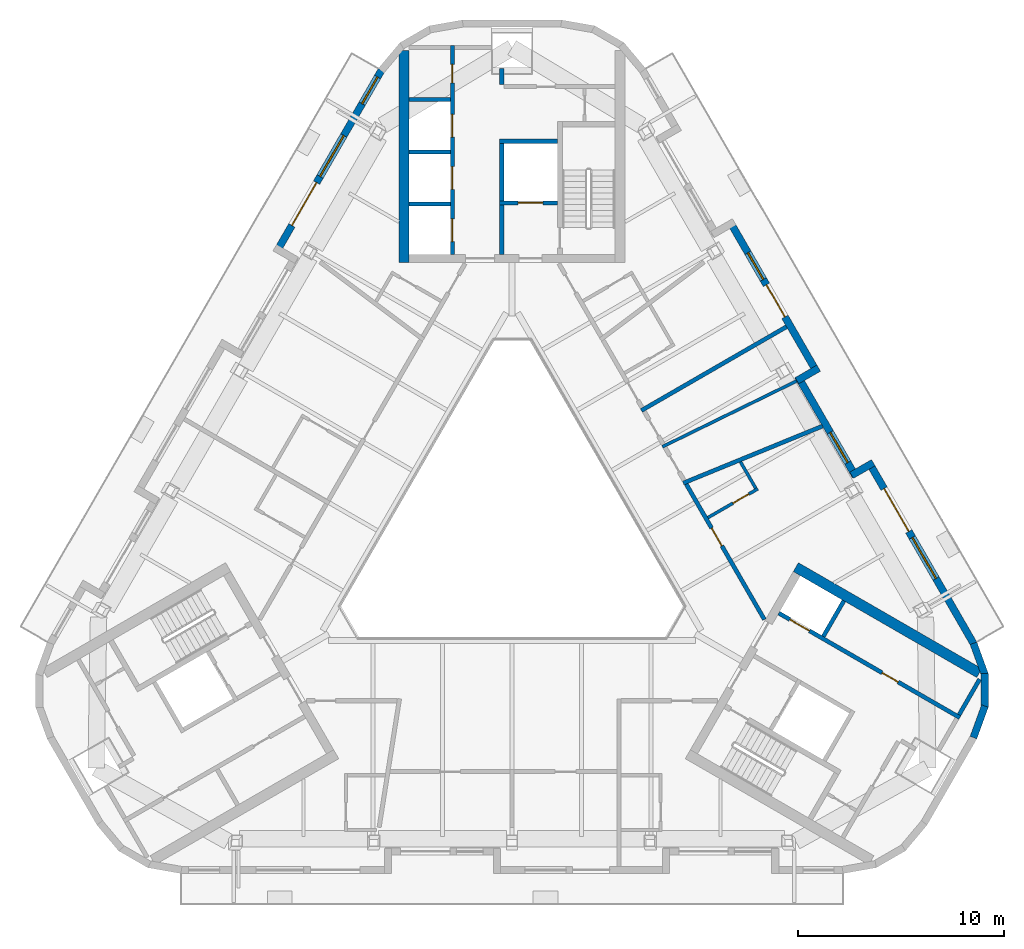
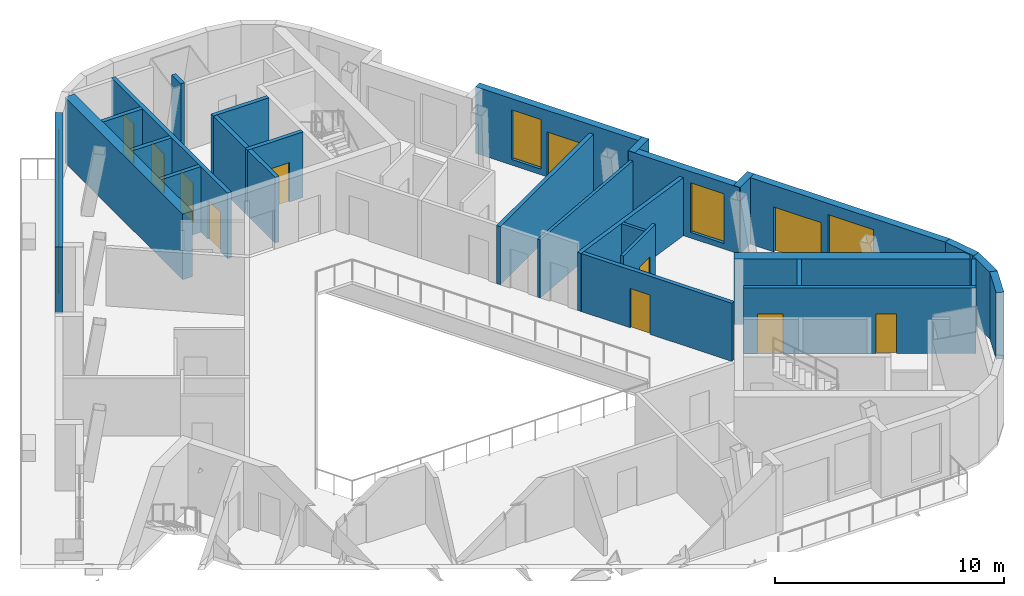
# One storey, part 6 of 11: 29 walls, 12 doors, 5 windows, 17 openings.
"""IFC4 building model written with IfcOpenShell, lengths in metres."""

from ifc_helpers import new_model, si_unit, direction, frame, frame_2d, origin, place, context, subcontext, project, spatial, rectangle, extrude, material, layer, layer_set, type_object, element, fill, save


model = new_model("IFC4")

# Units and contexts
model_context = context("Model", 3, precision=1e-05, world=origin(), true_north=direction((0.0, 1.0)))
body_context = subcontext(model_context, "Body", "Model", "MODEL_VIEW")
ifc_project = project(units=[si_unit("LENGTHUNIT", "METRE"), si_unit("AREAUNIT", "SQUARE_METRE"), si_unit("VOLUMEUNIT", "CUBIC_METRE"), si_unit("PLANEANGLEUNIT", "RADIAN"), si_unit("MASSUNIT", "GRAM", prefix="KILO")], contexts=[model_context])

# Site, building, storey
site_placement = place(None, origin())
site = spatial("IfcSite", under=ifc_project, at=site_placement, CompositionType="ELEMENT")
building_placement = place(site_placement, origin())
building = spatial("IfcBuilding", under=site, at=building_placement, Name="Apuvela Tower Hotel", CompositionType="ELEMENT")
storey_placement = place(building_placement, frame((0.0, 0.0, 309.60009765625)))
storey = spatial("IfcBuildingStorey", under=building, at=storey_placement, Name="L77", CompositionType="ELEMENT", Elevation=309.60009765625)

# Walls
ifc_material_1 = material(Name="Concrete C50/60", Category="concrete")
ifc_layer_1 = layer(ifc_material_1, 0.5)
ifc_layer_set_1 = layer_set([ifc_layer_1], Name="COR-WALL-CORE-500")
wall_type_1 = type_object("IfcWallType", Name="COR-WALL-CORE-500", PredefinedType="SHEAR", material=ifc_layer_set_1)
wall_1_placement = place(storey_placement, frame((-5.25, 12.89990234375, 0.0), z_axis=(0.0, 0.0, 1.0), x_axis=(0.0, 1.0, 0.0)))
element("IfcWall", 1, at=wall_1_placement, inside=storey, type_object=wall_type_1, Name="Core wall N", PredefinedType="SHEAR", context=body_context, shape_type="SweptSolid", body=[
    extrude(rectangle(XDim=10.298583984375, YDim=0.5, at=frame_2d((5.1494140625, 0.0))), origin(), (0.0, 0.0, 1.0), 3.5),
])
wall_2_placement = place(storey_placement, frame((13.796630859375, -1.9033203125, 0.0), z_axis=(0.0, 0.0, 1.0), x_axis=(0.866027279078, -0.499996751883, 0.0)))
element("IfcWall", 2, at=wall_2_placement, inside=storey, type_object=wall_type_1, Name="Core wall SE", PredefinedType="SHEAR", context=body_context, shape_type="SweptSolid", body=[
    extrude(rectangle(XDim=10.29833984375, YDim=0.5, at=frame_2d((5.149169921875, 0.0))), origin(), (0.0, 0.0, 1.0), 3.5),
])
ifc_layer_2 = layer(ifc_material_1, 0.199951171875)
ifc_layer_set_2 = layer_set([ifc_layer_2], Name="COR-WALL-SHAFT-200")
wall_type_2 = type_object("IfcWallType", Name="COR-WALL-SHAFT-200", PredefinedType="SHEAR", material=ifc_layer_set_2)
wall_3_placement = place(storey_placement, frame((2.199951171875, 18.800048828125, 0.0), z_axis=(0.0, 0.0, 1.0), x_axis=(-1.0, 0.0, 0.0)))
element("IfcWall", 3, at=wall_3_placement, inside=storey, type_object=wall_type_2, Name="Shaft wall N", PredefinedType="SHEAR", context=body_context, shape_type="SweptSolid", body=[
    extrude(rectangle(XDim=2.800048828125, YDim=0.199951171875, at=frame_2d((1.39990234375, 0.0))), origin(), (0.0, 0.0, 1.0), 3.5),
])

# Wall, opening, door
wall_4_placement = place(storey_placement, frame((2.199951171875, 15.800048828125, 0.0), z_axis=(0.0, 0.0, 1.0), x_axis=(-1.0, 0.0, 0.0)))
wall_4 = element("IfcWall", 4, at=wall_4_placement, inside=storey, type_object=wall_type_2, Name="Shaft wall N", PredefinedType="SHEAR", context=body_context, shape_type="SweptSolid", body=[
    extrude(rectangle(XDim=2.800048828125, YDim=0.199951171875, at=frame_2d((1.39990234375, 0.0))), origin(), (0.0, 0.0, 1.0), 3.5),
])
opening_1_placement = place(wall_4_placement, frame((0.699951171875, 0.0, 0.0)))
opening_1 = element("IfcOpeningElement", 5, at=opening_1_placement, cuts=wall_4, Name="Opening N-LD-FS1", PredefinedType="OPENING", context=body_context, shape_type="SweptSolid", body=[
    extrude(rectangle(XDim=1.199951171875, YDim=2.10009765625, at=frame_2d((0.60009765625, 1.050048828125))), frame((0.0, 0.10986328125, 0.0), z_axis=(0.0, -1.0, 0.0), x_axis=(1.0, 0.0, 0.0)), (0.0, 0.0, 1.0), 0.219970703125),
])
ifc_material_2 = material(Name="Stainless steel lift landing door", Category="steel")
door_type_1 = type_object("IfcDoorType", Name="COR-LD-1200", OperationType="DOUBLE_DOOR_SLIDING", PredefinedType="DOOR", material=ifc_material_2)
door_1_placement = place(opening_1_placement, origin())
door_1 = element("IfcDoor", 6, at=door_1_placement, inside=storey, type_object=door_type_1, Name="Lift landing door N-LD-FS1", OperationType="DOUBLE_DOOR_SLIDING", OverallHeight=2.10009765625, OverallWidth=1.199951171875, PredefinedType="DOOR", context=body_context, shape_type="SweptSolid", body=[
    extrude(rectangle(XDim=1.199951171875, YDim=2.10009765625, at=frame_2d((0.60009765625, 1.050048828125))), frame((0.0, 0.02490234375, 0.0), z_axis=(0.0, -1.0, 0.0), x_axis=(1.0, 0.0, 0.0)), (0.0, 0.0, 1.0), 0.050048828125),
])
fill(opening_1, door_1)

# Walls
wall_5_placement = place(storey_placement, frame((-0.5, 15.89990234375, 0.0), z_axis=(0.0, 0.0, 1.0), x_axis=(0.0, 1.0, 0.0)))
element("IfcWall", 7, at=wall_5_placement, inside=storey, type_object=wall_type_2, Name="Shaft wall N", PredefinedType="SHEAR", context=body_context, shape_type="SweptSolid", body=[
    extrude(rectangle(XDim=2.800048828125, YDim=0.199951171875, at=frame_2d((1.39990234375, 0.0))), origin(), (0.0, 0.0, 1.0), 3.5),
])
wall_6_placement = place(storey_placement, frame((-0.5, 13.300048828125, 0.0), z_axis=(0.0, 0.0, 1.0), x_axis=(0.0, 1.0, 0.0)))
element("IfcWall", 8, at=wall_6_placement, inside=storey, type_object=wall_type_2, Name="Shaft wall N", PredefinedType="SHEAR", context=body_context, shape_type="SweptSolid", body=[
    extrude(rectangle(XDim=2.39990234375, YDim=0.199951171875, at=frame_2d((1.199951171875, 0.0))), origin(), (0.0, 0.0, 1.0), 3.5),
])

# Wall, openings, doors
wall_7_placement = place(storey_placement, frame((-2.89990234375, 13.300048828125, 0.0), z_axis=(0.0, 0.0, 1.0), x_axis=(0.0, 1.0, 0.0)))
wall_7 = element("IfcWall", 9, at=wall_7_placement, inside=storey, type_object=wall_type_2, Name="Shaft wall N", PredefinedType="SHEAR", context=body_context, shape_type="SweptSolid", body=[
    extrude(rectangle(XDim=10.159912109375, YDim=0.199951171875, at=frame_2d((5.080078125, 0.0))), origin(), (0.0, 0.0, 1.0), 3.5),
])
opening_2_placement = place(wall_7_placement, frame((0.6201171875, 0.0, 0.0)))
opening_2 = element("IfcOpeningElement", 10, at=opening_2_placement, cuts=wall_7, Name="Opening N-LD-HR1", PredefinedType="OPENING", context=body_context, shape_type="SweptSolid", body=[
    extrude(rectangle(XDim=1.10009765625, YDim=2.10009765625, at=frame_2d((0.550048828125, 1.050048828125))), frame((0.0, 0.10986328125, 0.0), z_axis=(0.0, -1.0, 0.0), x_axis=(1.0, 0.0, 0.0)), (0.0, 0.0, 1.0), 0.219970703125),
])
opening_3_placement = place(wall_7_placement, frame((3.159912109375, 0.0, 0.0)))
opening_3 = element("IfcOpeningElement", 11, at=opening_3_placement, cuts=wall_7, Name="Opening N-LD-HR2", PredefinedType="OPENING", context=body_context, shape_type="SweptSolid", body=[
    extrude(rectangle(XDim=1.10009765625, YDim=2.10009765625, at=frame_2d((0.550048828125, 1.050048828125))), frame((0.0, 0.10986328125, 0.0), z_axis=(0.0, -1.0, 0.0), x_axis=(1.0, 0.0, 0.0)), (0.0, 0.0, 1.0), 0.219970703125),
])
opening_4_placement = place(wall_7_placement, frame((5.699951171875, 0.0, 0.0)))
opening_4 = element("IfcOpeningElement", 12, at=opening_4_placement, cuts=wall_7, Name="Opening N-LD-HR4", PredefinedType="OPENING", context=body_context, shape_type="SweptSolid", body=[
    extrude(rectangle(XDim=1.10009765625, YDim=2.10009765625, at=frame_2d((0.550048828125, 1.050048828125))), frame((0.0, 0.10986328125, 0.0), z_axis=(0.0, -1.0, 0.0), x_axis=(1.0, 0.0, 0.0)), (0.0, 0.0, 1.0), 0.219970703125),
])
opening_5_placement = place(wall_7_placement, frame((8.340087890625, 0.0, 0.0)))
opening_5 = element("IfcOpeningElement", 13, at=opening_5_placement, cuts=wall_7, Name="Opening N-RE4", PredefinedType="OPENING", context=body_context, shape_type="SweptSolid", body=[
    extrude(rectangle(XDim=0.89990234375, YDim=2.10009765625, at=frame_2d((0.449951171875, 1.050048828125))), frame((0.0, 0.10986328125, 0.0), z_axis=(0.0, -1.0, 0.0), x_axis=(1.0, 0.0, 0.0)), (0.0, 0.0, 1.0), 0.219970703125),
])
ifc_material_3 = material(Name="Steel fire door, powder coated", Category="steel")
door_type_2 = type_object("IfcDoorType", Name="COR-DR-900", OperationType="NOTDEFINED", PredefinedType="DOOR", material=ifc_material_3)
door_2_placement = place(opening_5_placement, origin())
door_2 = element("IfcDoor", 14, at=door_2_placement, inside=storey, type_object=door_type_2, Name="Store door N-RE4", OperationType="SINGLE_SWING_LEFT", OverallHeight=2.10009765625, OverallWidth=0.89990234375, PredefinedType="DOOR", context=body_context, shape_type="SweptSolid", body=[
    extrude(rectangle(XDim=0.89990234375, YDim=2.10009765625, at=frame_2d((0.449951171875, 1.050048828125))), frame((0.0, 0.02490234375, 0.0), z_axis=(0.0, -1.0, 0.0), x_axis=(1.0, 0.0, 0.0)), (0.0, 0.0, 1.0), 0.050048828125),
])
fill(opening_5, door_2)
door_type_3 = type_object("IfcDoorType", Name="COR-LD-1100", OperationType="DOUBLE_DOOR_SLIDING", PredefinedType="DOOR", material=ifc_material_2)
door_3_placement = place(opening_2_placement, origin())
door_3 = element("IfcDoor", 15, at=door_3_placement, inside=storey, type_object=door_type_3, Name="Lift landing door N-LD-HR1", OperationType="DOUBLE_DOOR_SLIDING", OverallHeight=2.10009765625, OverallWidth=1.10009765625, PredefinedType="DOOR", context=body_context, shape_type="SweptSolid", body=[
    extrude(rectangle(XDim=1.10009765625, YDim=2.10009765625, at=frame_2d((0.550048828125, 1.050048828125))), frame((0.0, 0.02490234375, 0.0), z_axis=(0.0, -1.0, 0.0), x_axis=(1.0, 0.0, 0.0)), (0.0, 0.0, 1.0), 0.050048828125),
])
fill(opening_2, door_3)
door_4_placement = place(opening_3_placement, origin())
door_4 = element("IfcDoor", 16, at=door_4_placement, inside=storey, type_object=door_type_3, Name="Lift landing door N-LD-HR2", OperationType="DOUBLE_DOOR_SLIDING", OverallHeight=2.10009765625, OverallWidth=1.10009765625, PredefinedType="DOOR", context=body_context, shape_type="SweptSolid", body=[
    extrude(rectangle(XDim=1.10009765625, YDim=2.10009765625, at=frame_2d((0.550048828125, 1.050048828125))), frame((0.0, 0.02490234375, 0.0), z_axis=(0.0, -1.0, 0.0), x_axis=(1.0, 0.0, 0.0)), (0.0, 0.0, 1.0), 0.050048828125),
])
fill(opening_3, door_4)
door_5_placement = place(opening_4_placement, origin())
door_5 = element("IfcDoor", 17, at=door_5_placement, inside=storey, type_object=door_type_3, Name="Lift landing door N-LD-HR4", OperationType="DOUBLE_DOOR_SLIDING", OverallHeight=2.10009765625, OverallWidth=1.10009765625, PredefinedType="DOOR", context=body_context, shape_type="SweptSolid", body=[
    extrude(rectangle(XDim=1.10009765625, YDim=2.10009765625, at=frame_2d((0.550048828125, 1.050048828125))), frame((0.0, 0.02490234375, 0.0), z_axis=(0.0, -1.0, 0.0), x_axis=(1.0, 0.0, 0.0)), (0.0, 0.0, 1.0), 0.050048828125),
])
fill(opening_4, door_5)

# Walls
wall_8_placement = place(storey_placement, frame((-0.5, 21.550048828125, 0.0), z_axis=(0.0, 0.0, 1.0), x_axis=(0.0, 1.0, 0.0)))
element("IfcWall", 18, at=wall_8_placement, inside=storey, type_object=wall_type_2, Name="Shaft wall N", PredefinedType="SHEAR", context=body_context, shape_type="SweptSolid", body=[
    extrude(rectangle(XDim=0.791259765625, YDim=0.199951171875, at=frame_2d((0.3955078125, 0.0))), origin(), (0.0, 0.0, 1.0), 3.5),
])
for number, where, z_axis, x_axis, name in (
    (19, (-3.0, 15.739990234375, 0.0), (0.0, 0.0, 1.0), (-1.0, 0.0, 0.0), "Shaft wall N"),
    (20, (-3.0, 18.280029296875, 0.0), (0.0, 0.0, 1.0), (-1.0, 0.0, 0.0), "Shaft wall N"),
    (21, (-3.0, 20.820068359375, 0.0), (0.0, 0.0, 1.0), (-1.0, 0.0, 0.0), "Shaft wall N"),
):
    element("IfcWall", number, at=place(storey_placement, frame(where, z_axis=z_axis, x_axis=x_axis)), inside=storey, type_object=wall_type_2, Name=name, PredefinedType="SHEAR", context=body_context, shape_type="SweptSolid", body=[
        extrude(rectangle(XDim=2.0, YDim=0.199951171875, at=frame_2d((1.0, 0.0))), origin(), (0.0, 0.0, 1.0), 3.5),
    ])

# Wall, openings, doors
wall_9_placement = place(storey_placement, frame((12.968017578125, -4.138427734375, 0.0), z_axis=(0.0, 0.0, 1.0), x_axis=(0.866028328073, -0.49999493495, 0.0)))
wall_9 = element("IfcWall", 22, at=wall_9_placement, inside=storey, type_object=wall_type_2, Name="Shaft wall SE", PredefinedType="SHEAR", context=body_context, shape_type="SweptSolid", body=[
    extrude(rectangle(XDim=10.16015625, YDim=0.199951171875, at=frame_2d((5.080078125, 0.0))), origin(), (0.0, 0.0, 1.0), 3.5),
])
opening_6_placement = place(wall_9_placement, frame((0.6201171875, 0.0, 0.0)))
opening_6 = element("IfcOpeningElement", 23, at=opening_6_placement, cuts=wall_9, Name="Opening E-LD-HR3", PredefinedType="OPENING", context=body_context, shape_type="SweptSolid", body=[
    extrude(rectangle(XDim=1.10009765625, YDim=2.10009765625, at=frame_2d((0.550048828125, 1.050048828125))), frame((0.0, 0.10986328125, 0.0), z_axis=(0.0, -1.0, 0.0), x_axis=(1.0, 0.0, 0.0)), (0.0, 0.0, 1.0), 0.219970703125),
])
opening_7_placement = place(wall_9_placement, frame((5.800048828125, 0.0, 0.0)))
opening_7 = element("IfcOpeningElement", 24, at=opening_7_placement, cuts=wall_9, Name="Opening E-RE2", PredefinedType="OPENING", context=body_context, shape_type="SweptSolid", body=[
    extrude(rectangle(XDim=0.89990234375, YDim=2.10009765625, at=frame_2d((0.449951171875, 1.050048828125))), frame((0.0, 0.10986328125, 0.0), z_axis=(0.0, -1.0, 0.0), x_axis=(1.0, 0.0, 0.0)), (0.0, 0.0, 1.0), 0.219970703125),
])
door_6_placement = place(opening_7_placement, origin())
door_6 = element("IfcDoor", 25, at=door_6_placement, inside=storey, type_object=door_type_2, Name="Store door E-RE2", OperationType="SINGLE_SWING_LEFT", OverallHeight=2.10009765625, OverallWidth=0.89990234375, PredefinedType="DOOR", context=body_context, shape_type="SweptSolid", body=[
    extrude(rectangle(XDim=0.89990234375, YDim=2.10009765625, at=frame_2d((0.449951171875, 1.050048828125))), frame((0.0, 0.02490234375, 0.0), z_axis=(0.0, -1.0, 0.0), x_axis=(1.0, 0.0, 0.0)), (0.0, 0.0, 1.0), 0.050048828125),
])
fill(opening_7, door_6)
door_7_placement = place(opening_6_placement, origin())
door_7 = element("IfcDoor", 26, at=door_7_placement, inside=storey, type_object=door_type_3, Name="Lift landing door E-LD-HR3", OperationType="DOUBLE_DOOR_SLIDING", OverallHeight=2.10009765625, OverallWidth=1.10009765625, PredefinedType="DOOR", context=body_context, shape_type="SweptSolid", body=[
    extrude(rectangle(XDim=1.10009765625, YDim=2.10009765625, at=frame_2d((0.550048828125, 1.050048828125))), frame((0.0, 0.02490234375, 0.0), z_axis=(0.0, -1.0, 0.0), x_axis=(1.0, 0.0, 0.0)), (0.0, 0.0, 1.0), 0.050048828125),
])
fill(opening_6, door_7)

# Walls
for number, where, z_axis, x_axis, name in (
    (27, (15.131103515625, -5.27197265625, 0.0), (0.0, 0.0, 1.0), (0.499972520799, 0.866041268327, 0.0), "Shaft wall SE"),
    (28, (21.73046875, -9.081787109375, 0.0), (0.0, 0.0, 1.0), (0.50002537861, 0.866010750942, 0.0), "Shaft wall SE"),
):
    element("IfcWall", number, at=place(storey_placement, frame(where, z_axis=z_axis, x_axis=x_axis)), inside=storey, type_object=wall_type_2, Name=name, PredefinedType="SHEAR", context=body_context, shape_type="SweptSolid", body=[
        extrude(rectangle(XDim=2.0, YDim=0.199951171875, at=frame_2d((1.0, 0.0))), origin(), (0.0, 0.0, 1.0), 3.5),
    ])

# Wall, openings, door, windows
ifc_material_4 = material(Name="Concrete C40/50, dark pigmented precast panel", Category="concrete")
ifc_layer_3 = layer(ifc_material_4, 0.35009765625)
ifc_layer_set_3 = layer_set([ifc_layer_3], Name="ENV-WALL-350")
wall_type_3 = type_object("IfcWallType", Name="ENV-WALL-350", PredefinedType="SOLIDWALL", material=ifc_layer_set_3)
wall_10_placement = place(storey_placement, frame((-6.343994140625, 22.251220703125, 0.0), z_axis=(0.0, 0.0, 1.0), x_axis=(-0.499983205548, -0.866035099848, 0.0)))
wall_10 = element("IfcWall", 29, at=wall_10_placement, inside=storey, type_object=wall_type_3, Name="External wall L77-01", PredefinedType="SOLIDWALL", context=body_context, shape_type="SweptSolid", body=[
    extrude(rectangle(XDim=10.239013671875, YDim=0.35009765625, at=frame_2d((5.11962890625, 0.0))), origin(), (0.0, 0.0, 1.0), 3.5498046875),
])
opening_8_placement = place(wall_10_placement, frame((0.381103515625, 0.0, 0.300048828125)))
opening_8 = element("IfcOpeningElement", 30, at=opening_8_placement, cuts=wall_10, Name="Opening WN15", PredefinedType="OPENING", context=body_context, shape_type="SweptSolid", body=[
    extrude(rectangle(XDim=1.5, YDim=2.64990234375, at=frame_2d((0.75, 1.324951171875))), frame((0.0, 0.18505859375, 0.0), z_axis=(0.0, -1.0, 0.0), x_axis=(1.0, 0.0, 0.0)), (0.0, 0.0, 1.0), 0.3701171875),
])
opening_9_placement = place(wall_10_placement, frame((6.31005859375, 0.0, 0.0)))
opening_9 = element("IfcOpeningElement", 31, at=opening_9_placement, cuts=wall_10, Name="Opening BD24", PredefinedType="OPENING", context=body_context, shape_type="SweptSolid", body=[
    extrude(rectangle(XDim=2.39990234375, YDim=2.39990234375, at=frame_2d((1.199951171875, 1.199951171875))), frame((0.0, 0.18505859375, 0.0), z_axis=(0.0, -1.0, 0.0), x_axis=(1.0, 0.0, 0.0)), (0.0, 0.0, 1.0), 0.3701171875),
])
opening_10_placement = place(wall_10_placement, frame((3.666748046875, 0.0, 0.300048828125)))
opening_10 = element("IfcOpeningElement", 32, at=opening_10_placement, cuts=wall_10, Name="Opening WN23", PredefinedType="OPENING", context=body_context, shape_type="SweptSolid", body=[
    extrude(rectangle(XDim=2.300048828125, YDim=2.64990234375, at=frame_2d((1.14990234375, 1.324951171875))), frame((0.0, 0.18505859375, 0.0), z_axis=(0.0, -1.0, 0.0), x_axis=(1.0, 0.0, 0.0)), (0.0, 0.0, 1.0), 0.3701171875),
])
ifc_material_5 = material(Name="Aluminium 6063-T6, dark bronze anodised frame with dark tinted laminated glass", Category="aluminium")
door_type_4 = type_object("IfcDoorType", Name="ENV-DOOR-BALCONY-2400x2400", OperationType="SLIDING_TO_LEFT", PredefinedType="DOOR", material=ifc_material_5)
door_8_placement = place(opening_9_placement, frame((2.39990234375, 0.0, 0.0), z_axis=(0.0, 0.0, 1.0), x_axis=(-1.0, 0.0, 0.0)))
door_8 = element("IfcDoor", 33, at=door_8_placement, inside=storey, type_object=door_type_4, Name="Balcony door BD24", OperationType="SLIDING_TO_LEFT", OverallHeight=2.39990234375, OverallWidth=2.39990234375, PredefinedType="DOOR", context=body_context, shape_type="SweptSolid", body=[
    extrude(rectangle(XDim=2.39990234375, YDim=2.39990234375, at=frame_2d((1.199951171875, 1.199951171875))), frame((0.0, 0.02490234375, 0.0), z_axis=(0.0, -1.0, 0.0), x_axis=(1.0, 0.0, 0.0)), (0.0, 0.0, 1.0), 0.050048828125),
])
fill(opening_9, door_8)
ifc_material_6 = material(Name="Glass, dark tinted laminated insulated glazing unit", Category="glass")
window_type_1 = type_object("IfcWindowType", Name="ENV-WIN-1500x2650", PartitioningType="SINGLE_PANEL", PredefinedType="WINDOW", material=ifc_material_6)
window_1_placement = place(opening_8_placement, origin())
window_1 = element("IfcWindow", 34, at=window_1_placement, inside=storey, type_object=window_type_1, Name="Window WN15", OverallHeight=2.64990234375, OverallWidth=1.5, PartitioningType="SINGLE_PANEL", PredefinedType="WINDOW", context=body_context, shape_type="SweptSolid", body=[
    extrude(rectangle(XDim=1.5, YDim=2.64990234375, at=frame_2d((0.75, 1.324951171875))), frame((0.0, 0.030029296875, 0.0), z_axis=(0.0, -1.0, 0.0), x_axis=(1.0, 0.0, 0.0)), (0.0, 0.0, 1.0), 0.06005859375),
])
fill(opening_8, window_1)
window_type_2 = type_object("IfcWindowType", Name="ENV-WIN-2300x2650", PartitioningType="SINGLE_PANEL", PredefinedType="WINDOW", material=ifc_material_6)
window_2_placement = place(opening_10_placement, origin())
window_2 = element("IfcWindow", 35, at=window_2_placement, inside=storey, type_object=window_type_2, Name="Window WN23", OverallHeight=2.64990234375, OverallWidth=2.300048828125, PartitioningType="SINGLE_PANEL", PredefinedType="WINDOW", context=body_context, shape_type="SweptSolid", body=[
    extrude(rectangle(XDim=2.300048828125, YDim=2.64990234375, at=frame_2d((1.14990234375, 1.324951171875))), frame((0.0, 0.030029296875, 0.0), z_axis=(0.0, -1.0, 0.0), x_axis=(1.0, 0.0, 0.0)), (0.0, 0.0, 1.0), 0.06005859375),
])
fill(opening_10, window_2)

# Walls
for number, where, z_axis, x_axis, name in (
    (36, (22.42919921875, -10.189697265625, 0.0), (0.0, 0.0, 1.0), (0.341970966071, 0.939710518386, 0.0), "External wall L77-30"),
    (37, (22.977294921875, -8.7138671875, 0.0), (0.0, 0.0, 1.0), (0.0, 1.0, 0.0), "External wall L77-31"),
    (38, (22.988037109375, -7.1396484375, 0.0), (0.0, 0.0, 1.0), (-0.34192296291, 0.939727985874, 0.0), "External wall L77-32"),
):
    element("IfcWall", number, at=place(storey_placement, frame(where, z_axis=z_axis, x_axis=x_axis)), inside=storey, type_object=wall_type_3, Name=name, PredefinedType="SOLIDWALL", context=body_context, shape_type="SweptSolid", body=[
        extrude(rectangle(XDim=1.63427734375, YDim=0.35009765625, at=frame_2d((0.817138671875, 0.0))), origin(), (0.0, 0.0, 1.0), 3.5498046875),
    ])

# Wall, openings, door, window
wall_11_placement = place(storey_placement, frame((22.44189453125, -5.631591796875, 0.0), z_axis=(0.0, 0.0, 1.0), x_axis=(-0.499983205548, 0.866035099848, 0.0)))
wall_11 = element("IfcWall", 39, at=wall_11_placement, inside=storey, type_object=wall_type_3, Name="External wall L77-33", PredefinedType="SOLIDWALL", context=body_context, shape_type="SweptSolid", body=[
    extrude(rectangle(XDim=10.239013671875, YDim=0.35009765625, at=frame_2d((5.11962890625, 0.0))), origin(), (0.0, 0.0, 1.0), 3.5498046875),
])
opening_11_placement = place(wall_11_placement, frame((6.310546875, 0.0, 0.0)))
opening_11 = element("IfcOpeningElement", 40, at=opening_11_placement, cuts=wall_11, Name="Opening BD24", PredefinedType="OPENING", context=body_context, shape_type="SweptSolid", body=[
    extrude(rectangle(XDim=2.39990234375, YDim=2.39990234375, at=frame_2d((1.199951171875, 1.199951171875))), frame((0.0, 0.18505859375, 0.0), z_axis=(0.0, -1.0, 0.0), x_axis=(1.0, 0.0, 0.0)), (0.0, 0.0, 1.0), 0.3701171875),
])
opening_12_placement = place(wall_11_placement, frame((3.666748046875, 0.0, 0.300048828125)))
opening_12 = element("IfcOpeningElement", 41, at=opening_12_placement, cuts=wall_11, Name="Opening WN23", PredefinedType="OPENING", context=body_context, shape_type="SweptSolid", body=[
    extrude(rectangle(XDim=2.300048828125, YDim=2.64990234375, at=frame_2d((1.14990234375, 1.324951171875))), frame((0.0, 0.18505859375, 0.0), z_axis=(0.0, -1.0, 0.0), x_axis=(1.0, 0.0, 0.0)), (0.0, 0.0, 1.0), 0.3701171875),
])
door_9_placement = place(opening_11_placement, frame((2.39990234375, 0.0, 0.0), z_axis=(0.0, 0.0, 1.0), x_axis=(-1.0, 0.0, 0.0)))
door_9 = element("IfcDoor", 42, at=door_9_placement, inside=storey, type_object=door_type_4, Name="Balcony door BD24", OperationType="SLIDING_TO_LEFT", OverallHeight=2.39990234375, OverallWidth=2.39990234375, PredefinedType="DOOR", context=body_context, shape_type="SweptSolid", body=[
    extrude(rectangle(XDim=2.39990234375, YDim=2.39990234375, at=frame_2d((1.199951171875, 1.199951171875))), frame((0.0, 0.02490234375, 0.0), z_axis=(0.0, -1.0, 0.0), x_axis=(1.0, 0.0, 0.0)), (0.0, 0.0, 1.0), 0.050048828125),
])
fill(opening_11, door_9)
window_3_placement = place(opening_12_placement, origin())
window_3 = element("IfcWindow", 43, at=window_3_placement, inside=storey, type_object=window_type_2, Name="Window WN23", OverallHeight=2.64990234375, OverallWidth=2.300048828125, PartitioningType="SINGLE_PANEL", PredefinedType="WINDOW", context=body_context, shape_type="SweptSolid", body=[
    extrude(rectangle(XDim=2.300048828125, YDim=2.64990234375, at=frame_2d((1.14990234375, 1.324951171875))), frame((0.0, 0.030029296875, 0.0), z_axis=(0.0, -1.0, 0.0), x_axis=(1.0, 0.0, 0.0)), (0.0, 0.0, 1.0), 0.06005859375),
])
fill(opening_12, window_3)

# Wall
wall_12_placement = place(storey_placement, frame((17.5615234375, 3.171875, 0.0), z_axis=(0.0, 0.0, 1.0), x_axis=(-0.866005645448, -0.500034220881, 0.0)))
element("IfcWall", 44, at=wall_12_placement, inside=storey, type_object=wall_type_3, Name="External wall L77-34", PredefinedType="SOLIDWALL", context=body_context, shape_type="SweptSolid", body=[
    extrude(rectangle(XDim=1.22021484375, YDim=0.35009765625, at=frame_2d((0.610107421875, 0.0))), origin(), (0.0, 0.0, 1.0), 3.5498046875),
])

# Wall, opening, window
wall_13_placement = place(storey_placement, frame((16.702880859375, 2.5087890625, 0.0), z_axis=(0.0, 0.0, 1.0), x_axis=(-0.499975351079, 0.866039634378, 0.0)))
wall_13 = element("IfcWall", 45, at=wall_13_placement, inside=storey, type_object=wall_type_3, Name="External wall L77-35", PredefinedType="SOLIDWALL", context=body_context, shape_type="SweptSolid", body=[
    extrude(rectangle(XDim=5.598876953125, YDim=0.35009765625, at=frame_2d((2.79931640625, 0.0))), origin(), (0.0, 0.0, 1.0), 3.5498046875),
])
opening_13_placement = place(wall_13_placement, frame((0.77001953125, 0.0, 0.300048828125)))
opening_13 = element("IfcOpeningElement", 46, at=opening_13_placement, cuts=wall_13, Name="Opening WN17", PredefinedType="OPENING", context=body_context, shape_type="SweptSolid", body=[
    extrude(rectangle(XDim=1.699951171875, YDim=2.64990234375, at=frame_2d((0.85009765625, 1.324951171875))), frame((0.0, 0.18505859375, 0.0), z_axis=(0.0, -1.0, 0.0), x_axis=(1.0, 0.0, 0.0)), (0.0, 0.0, 1.0), 0.3701171875),
])
window_type_3 = type_object("IfcWindowType", Name="ENV-WIN-1700x2650", PartitioningType="SINGLE_PANEL", PredefinedType="WINDOW", material=ifc_material_6)
window_4_placement = place(opening_13_placement, origin())
window_4 = element("IfcWindow", 47, at=window_4_placement, inside=storey, type_object=window_type_3, Name="Window WN17", OverallHeight=2.64990234375, OverallWidth=1.699951171875, PartitioningType="SINGLE_PANEL", PredefinedType="WINDOW", context=body_context, shape_type="SweptSolid", body=[
    extrude(rectangle(XDim=1.699951171875, YDim=2.64990234375, at=frame_2d((0.85009765625, 1.324951171875))), frame((0.0, 0.030029296875, 0.0), z_axis=(0.0, -1.0, 0.0), x_axis=(1.0, 0.0, 0.0)), (0.0, 0.0, 1.0), 0.06005859375),
])
fill(opening_13, window_4)

# Wall
wall_14_placement = place(storey_placement, frame((13.850341796875, 7.159423828125, 0.0), z_axis=(0.0, 0.0, 1.0), x_axis=(0.866005645448, 0.500034220881, 0.0)))
element("IfcWall", 48, at=wall_14_placement, inside=storey, type_object=wall_type_3, Name="External wall L77-36", PredefinedType="SOLIDWALL", context=body_context, shape_type="SweptSolid", body=[
    extrude(rectangle(XDim=1.22021484375, YDim=0.35009765625, at=frame_2d((0.610107421875, 0.0))), origin(), (0.0, 0.0, 1.0), 3.5498046875),
])

# Wall, openings, door, window
wall_15_placement = place(storey_placement, frame((14.843017578125, 7.530517578125, 0.0), z_axis=(0.0, 0.0, 1.0), x_axis=(-0.500013816581, 0.866017426631, 0.0)))
wall_15 = element("IfcWall", 49, at=wall_15_placement, inside=storey, type_object=wall_type_3, Name="External wall L77-37", PredefinedType="SOLIDWALL", context=body_context, shape_type="SweptSolid", body=[
    extrude(rectangle(XDim=8.558837890625, YDim=0.35009765625, at=frame_2d((4.279296875, 0.0))), origin(), (0.0, 0.0, 1.0), 3.5498046875),
])
opening_14_placement = place(wall_15_placement, frame((3.150390625, 0.0, 0.0)))
opening_14 = element("IfcOpeningElement", 50, at=opening_14_placement, cuts=wall_15, Name="Opening BD18", PredefinedType="OPENING", context=body_context, shape_type="SweptSolid", body=[
    extrude(rectangle(XDim=1.800048828125, YDim=2.39990234375, at=frame_2d((0.89990234375, 1.199951171875))), frame((0.0, 0.18505859375, 0.0), z_axis=(0.0, -1.0, 0.0), x_axis=(1.0, 0.0, 0.0)), (0.0, 0.0, 1.0), 0.3701171875),
])
opening_15_placement = place(wall_15_placement, frame((5.25048828125, 0.0, 0.300048828125)))
opening_15 = element("IfcOpeningElement", 51, at=opening_15_placement, cuts=wall_15, Name="Opening WN15", PredefinedType="OPENING", context=body_context, shape_type="SweptSolid", body=[
    extrude(rectangle(XDim=1.5, YDim=2.64990234375, at=frame_2d((0.75, 1.324951171875))), frame((0.0, 0.18505859375, 0.0), z_axis=(0.0, -1.0, 0.0), x_axis=(1.0, 0.0, 0.0)), (0.0, 0.0, 1.0), 0.3701171875),
])
door_type_5 = type_object("IfcDoorType", Name="ENV-DOOR-BALCONY-1800x2400", OperationType="SLIDING_TO_LEFT", PredefinedType="DOOR", material=ifc_material_5)
door_10_placement = place(opening_14_placement, frame((1.800048828125, 0.0, 0.0), z_axis=(0.0, 0.0, 1.0), x_axis=(-1.0, 0.0, 0.0)))
door_10 = element("IfcDoor", 52, at=door_10_placement, inside=storey, type_object=door_type_5, Name="Balcony door BD18", OperationType="SLIDING_TO_LEFT", OverallHeight=2.39990234375, OverallWidth=1.800048828125, PredefinedType="DOOR", context=body_context, shape_type="SweptSolid", body=[
    extrude(rectangle(XDim=1.800048828125, YDim=2.39990234375, at=frame_2d((0.89990234375, 1.199951171875))), frame((0.0, 0.02490234375, 0.0), z_axis=(0.0, -1.0, 0.0), x_axis=(1.0, 0.0, 0.0)), (0.0, 0.0, 1.0), 0.050048828125),
])
fill(opening_14, door_10)
window_5_placement = place(opening_15_placement, origin())
window_5 = element("IfcWindow", 53, at=window_5_placement, inside=storey, type_object=window_type_1, Name="Window WN15", OverallHeight=2.64990234375, OverallWidth=1.5, PartitioningType="SINGLE_PANEL", PredefinedType="WINDOW", context=body_context, shape_type="SweptSolid", body=[
    extrude(rectangle(XDim=1.5, YDim=2.64990234375, at=frame_2d((0.75, 1.324951171875))), frame((0.0, 0.030029296875, 0.0), z_axis=(0.0, -1.0, 0.0), x_axis=(1.0, 0.0, 0.0)), (0.0, 0.0, 1.0), 0.06005859375),
])
fill(opening_15, window_5)

# Walls
ifc_material_7 = material(Name="Gypsum board partition on twin steel stud", Category="steel")
ifc_layer_4 = layer(ifc_material_7, 0.199951171875)
ifc_layer_set_4 = layer_set([ifc_layer_4], Name="GST-PW1")
wall_type_4 = type_object("IfcWallType", Name="GST-PW1", PredefinedType="PARTITIONING", material=ifc_layer_set_4)
wall_16_placement = place(storey_placement, frame((15.090576171875, 4.951416015625, 0.0), z_axis=(0.0, 0.0, 1.0), x_axis=(-0.925459695547, -0.378846079454, 0.0)))
element("IfcWall", 54, at=wall_16_placement, inside=storey, type_object=wall_type_4, Name="L77 partition 04", PredefinedType="PARTITIONING", context=body_context, shape_type="SweptSolid", body=[
    extrude(rectangle(XDim=7.31103515625, YDim=0.199951171875, at=frame_2d((3.655517578125, 0.0))), origin(), (0.0, 0.0, 1.0), 3.099853515625),
])
wall_17_placement = place(storey_placement, frame((13.34130859375, 9.781005859375, 0.0), z_axis=(0.0, 0.0, 1.0), x_axis=(-0.866020851292, -0.500007885066, 0.0)))
element("IfcWall", 55, at=wall_17_placement, inside=storey, type_object=wall_type_4, Name="L77 partition 05", PredefinedType="PARTITIONING", context=body_context, shape_type="SweptSolid", body=[
    extrude(rectangle(XDim=8.144287109375, YDim=0.199951171875, at=frame_2d((4.072265625, 0.0))), origin(), (0.0, 0.0, 1.0), 3.099853515625),
])

# Wall, opening, door
ifc_material_8 = material(Name="Gypsum board corridor wall on twin steel stud, acoustic", Category="steel")
ifc_layer_5 = layer(ifc_material_8, 0.199951171875)
ifc_layer_set_5 = layer_set([ifc_layer_5], Name="GST-PW2")
wall_type_5 = type_object("IfcWallType", Name="GST-PW2", PredefinedType="PARTITIONING", material=ifc_layer_set_5)
wall_18_placement = place(storey_placement, frame((8.46826171875, 2.132568359375, 0.0), z_axis=(0.0, 0.0, 1.0), x_axis=(0.50001161234, -0.866018699293, 0.0)))
wall_18 = element("IfcWall", 56, at=wall_18_placement, inside=storey, type_object=wall_type_5, Name="L77 partition 19", PredefinedType="PARTITIONING", context=body_context, shape_type="SweptSolid", body=[
    extrude(rectangle(XDim=7.600830078125, YDim=0.199951171875, at=frame_2d((3.80029296875, 0.0))), origin(), (0.0, 0.0, 1.0), 3.099853515625),
])
opening_16_placement = place(wall_18_placement, frame((2.463623046875, 0.0, 0.0)))
opening_16 = element("IfcOpeningElement", 57, at=opening_16_placement, cuts=wall_18, Name="Opening GD32-08", PredefinedType="OPENING", context=body_context, shape_type="SweptSolid", body=[
    extrude(rectangle(XDim=1.0, YDim=2.10009765625, at=frame_2d((0.5, 1.050048828125))), frame((0.0, 0.10986328125, 0.0), z_axis=(0.0, -1.0, 0.0), x_axis=(1.0, 0.0, 0.0)), (0.0, 0.0, 1.0), 0.219970703125),
])
ifc_material_9 = material(Name="Timber door leaf in steel frame", Category="steel")
door_type_6 = type_object("IfcDoorType", Name="GST-D1", OperationType="NOTDEFINED", PredefinedType="DOOR", material=ifc_material_9)
door_11_placement = place(opening_16_placement, origin())
door_11 = element("IfcDoor", 58, at=door_11_placement, inside=storey, type_object=door_type_6, Name="Door L77-08", OperationType="SINGLE_SWING_RIGHT", OverallHeight=2.10009765625, OverallWidth=1.0, PredefinedType="DOOR", context=body_context, shape_type="SweptSolid", body=[
    extrude(rectangle(XDim=1.0, YDim=2.10009765625, at=frame_2d((0.5, 1.050048828125))), frame((0.0, 0.02490234375, 0.0), z_axis=(0.0, -1.0, 0.0), x_axis=(1.0, 0.0, 0.0)), (0.0, 0.0, 1.0), 0.050048828125),
])
fill(opening_16, door_11)

ifc_material_10 = material(Name="Moisture-resistant gypsum board wet wall on steel stud", Category="steel")
ifc_layer_6 = layer(ifc_material_10, 0.14990234375)
ifc_layer_set_6 = layer_set([ifc_layer_6], Name="GST-PW3")
wall_type_6 = type_object("IfcWallType", Name="GST-PW3", PredefinedType="PARTITIONING", material=ifc_layer_set_6)
wall_19_placement = place(storey_placement, frame((9.524169921875, 0.503662109375, 0.0), z_axis=(0.0, 0.0, 1.0), x_axis=(0.866034573852, 0.49998411664, 0.0)))
wall_19 = element("IfcWall", 59, at=wall_19_placement, inside=storey, type_object=wall_type_6, Name="L77 partition 20", PredefinedType="PARTITIONING", context=body_context, shape_type="SweptSolid", body=[
    extrude(rectangle(XDim=2.7998046875, YDim=0.14990234375, at=frame_2d((1.39990234375, 0.0))), origin(), (0.0, 0.0, 1.0), 3.5498046875),
])
opening_17_placement = place(wall_19_placement, frame((1.39990234375, 0.0, 0.0)))
opening_17 = element("IfcOpeningElement", 60, at=opening_17_placement, cuts=wall_19, Name="Opening GD32-07", PredefinedType="OPENING", context=body_context, shape_type="SweptSolid", body=[
    extrude(rectangle(XDim=0.89990234375, YDim=2.10009765625, at=frame_2d((0.449951171875, 1.050048828125))), frame((0.0, 0.0849609375, 0.0), z_axis=(0.0, -1.0, 0.0), x_axis=(1.0, 0.0, 0.0)), (0.0, 0.0, 1.0), 0.169921875),
])
door_type_7 = type_object("IfcDoorType", Name="GST-D2", OperationType="NOTDEFINED", PredefinedType="DOOR", material=ifc_material_9)
door_12_placement = place(opening_17_placement, origin())
door_12 = element("IfcDoor", 61, at=door_12_placement, inside=storey, type_object=door_type_7, Name="Door L77-07", OperationType="SINGLE_SWING_RIGHT", OverallHeight=2.10009765625, OverallWidth=0.89990234375, PredefinedType="DOOR", context=body_context, shape_type="SweptSolid", body=[
    extrude(rectangle(XDim=0.89990234375, YDim=2.10009765625, at=frame_2d((0.449951171875, 1.050048828125))), frame((0.0, 0.02490234375, 0.0), z_axis=(0.0, -1.0, 0.0), x_axis=(1.0, 0.0, 0.0)), (0.0, 0.0, 1.0), 0.050048828125),
])
fill(opening_17, door_12)

# Walls
wall_20_placement = place(storey_placement, frame((11.8466796875, 1.93115234375, 0.0), z_axis=(0.0, 0.0, 1.0), x_axis=(-0.50006043627, 0.865990508076, 0.0)))
element("IfcWall", 62, at=wall_20_placement, inside=storey, type_object=wall_type_6, Name="L77 partition 21", PredefinedType="PARTITIONING", context=body_context, shape_type="SweptSolid", body=[
    extrude(rectangle(XDim=1.479736328125, YDim=0.14990234375, at=frame_2d((0.73974609375, 0.0))), origin(), (0.0, 0.0, 1.0), 3.099853515625),
])
wall_21_placement = place(storey_placement, frame((13.826416015625, 7.141357421875, 0.0), z_axis=(0.0, 0.0, 1.0), x_axis=(-0.897929581281, -0.440139145113, 0.0)))
element("IfcWall", 63, at=wall_21_placement, inside=storey, type_object=wall_type_6, Name="L77 partition 22", PredefinedType="PARTITIONING", context=body_context, shape_type="SweptSolid", body=[
    extrude(rectangle(XDim=7.261474609375, YDim=0.14990234375, at=frame_2d((3.630859375, 0.0))), origin(), (0.0, 0.0, 1.0), 3.099853515625),
])

save(model, "model.ifc")
